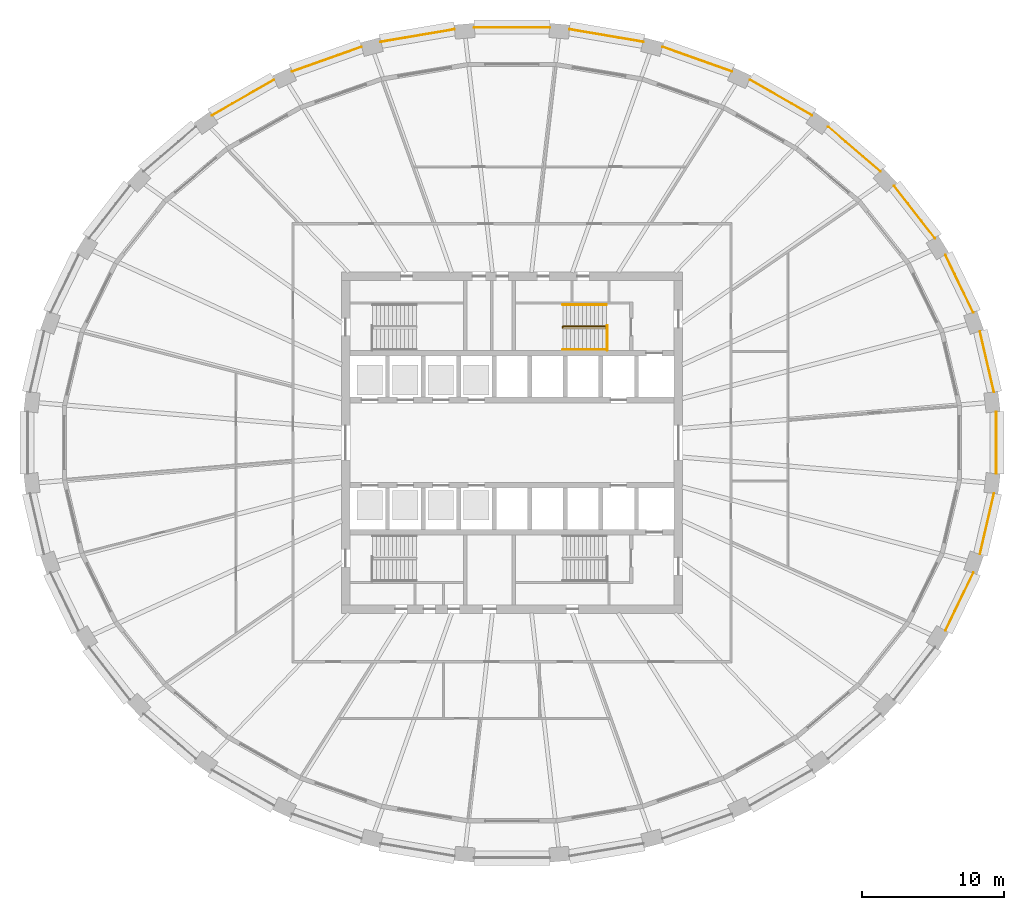
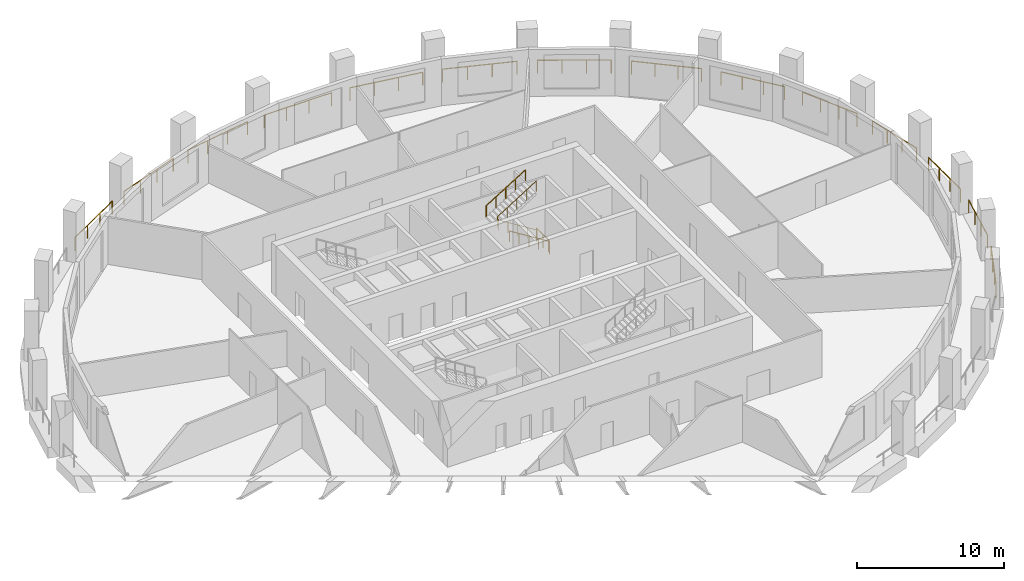
# One storey, part 10 of 11: 18 railings.
"""IFC4 building model written with IfcOpenShell, lengths in metres."""

from ifc_helpers import new_model, si_unit, direction, frame, origin, origin_2d, place, context, subcontext, project, spatial, circle, extrude, material, type_object, element, save


model = new_model("IFC4")

# Units and contexts
model_context = context("Model", 3, precision=1e-05, world=origin(), true_north=direction((0.0, 1.0)))
body_context = subcontext(model_context, "Body", "Model", "MODEL_VIEW")
ifc_project = project(units=[si_unit("LENGTHUNIT", "METRE"), si_unit("AREAUNIT", "SQUARE_METRE"), si_unit("VOLUMEUNIT", "CUBIC_METRE"), si_unit("PLANEANGLEUNIT", "RADIAN"), si_unit("MASSUNIT", "GRAM", prefix="KILO")], contexts=[model_context])

# Site, building, storey
site_placement = place(None, origin())
site = spatial("IfcSite", under=ifc_project, at=site_placement, CompositionType="ELEMENT")
building_placement = place(site_placement, origin())
building = spatial("IfcBuilding", under=site, at=building_placement, Name="Halqa Exchange Tower", CompositionType="ELEMENT")
storey_placement = place(building_placement, frame((0.0, 0.0, 150.699951171875)))
storey = spatial("IfcBuildingStorey", under=building, at=storey_placement, Name="L34", CompositionType="ELEMENT", Elevation=150.699951171875)

# Railings
ifc_material = material(Name="Stainless steel", Category="steel")
railing_type_1 = type_object("IfcRailingType", Name="Guard 1100 stainless steel", PredefinedType="GUARDRAIL", material=ifc_material)
railing_1_placement = place(storey_placement, frame((33.8955078125, 3.556640625, 0.0)))
element("IfcRailing", 1, at=railing_1_placement, inside=storey, type_object=railing_type_1, Name="Loggia guard 1", PredefinedType="GUARDRAIL", context=body_context, shape_type="SweptSolid", body=[
    extrude(circle(Radius=0.02392578125, at=origin_2d()), frame((0.0, 0.0, 1.076171875), z_axis=(-0.226049596657, 0.974115793862, 0.0), x_axis=(-0.974115793862, -0.226049596657, 0.0)), (0.0, 0.0, 1.0), 4.38916015625),
    extrude(circle(Radius=0.02099609375, at=origin_2d()), origin(), (0.0, 0.0, 1.0), 1.052001953125),
    extrude(circle(Radius=0.02099609375, at=origin_2d()), frame((-0.330810546875, 1.42529296875, 0.0)), (0.0, 0.0, 1.0), 1.052001953125),
    extrude(circle(Radius=0.02099609375, at=origin_2d()), frame((-0.661376953125, 2.850341796875, 0.0)), (0.0, 0.0, 1.0), 1.052001953125),
    extrude(circle(Radius=0.02099609375, at=origin_2d()), frame((-0.9921875, 4.275634765625, 0.0)), (0.0, 0.0, 1.0), 1.052001953125),
])
railing_2_placement = place(storey_placement, frame((32.4404296875, 9.144287109375, 0.0)))
element("IfcRailing", 2, at=railing_2_placement, inside=storey, type_object=railing_type_1, Name="Loggia guard 2", PredefinedType="GUARDRAIL", context=body_context, shape_type="SweptSolid", body=[
    extrude(circle(Radius=0.02392578125, at=origin_2d()), frame((0.0, 0.0, 1.076171875), z_axis=(-0.435128344221, 0.900368437949, 0.0), x_axis=(-0.900368437949, -0.435128344221, 0.0)), (0.0, 0.0, 1.0), 4.499755859375),
    extrude(circle(Radius=0.02099609375, at=origin_2d()), origin(), (0.0, 0.0, 1.0), 1.052001953125),
    extrude(circle(Radius=0.02099609375, at=origin_2d()), frame((-0.652587890625, 1.3505859375, 0.0)), (0.0, 0.0, 1.0), 1.052001953125),
    extrude(circle(Radius=0.02099609375, at=origin_2d()), frame((-1.305419921875, 2.700927734375, 0.0)), (0.0, 0.0, 1.0), 1.052001953125),
    extrude(circle(Radius=0.02099609375, at=origin_2d()), frame((-1.9580078125, 4.051513671875, 0.0)), (0.0, 0.0, 1.0), 1.052001953125),
])
railing_3_placement = place(storey_placement, frame((29.74755859375, 14.378173828125, 0.0)))
element("IfcRailing", 3, at=railing_3_placement, inside=storey, type_object=railing_type_1, Name="Loggia guard 3", PredefinedType="GUARDRAIL", context=body_context, shape_type="SweptSolid", body=[
    extrude(circle(Radius=0.02392578125, at=origin_2d()), frame((0.0, 0.0, 1.076171875), z_axis=(-0.614803187678, 0.788680569319, 0.0), x_axis=(-0.788680569319, -0.614803187678, 0.0)), (0.0, 0.0, 1.0), 4.66162109375),
    extrude(circle(Radius=0.02099609375, at=origin_2d()), origin(), (0.0, 0.0, 1.0), 1.052001953125),
    extrude(circle(Radius=0.02099609375, at=origin_2d()), frame((-0.955322265625, 1.2255859375, 0.0)), (0.0, 0.0, 1.0), 1.052001953125),
    extrude(circle(Radius=0.02099609375, at=origin_2d()), frame((-1.91064453125, 2.450927734375, 0.0)), (0.0, 0.0, 1.0), 1.052001953125),
    extrude(circle(Radius=0.02099609375, at=origin_2d()), frame((-2.865966796875, 3.676513671875, 0.0)), (0.0, 0.0, 1.0), 1.052001953125),
])
railing_4_placement = place(storey_placement, frame((25.919677734375, 19.0625, 0.0)))
element("IfcRailing", 4, at=railing_4_placement, inside=storey, type_object=railing_type_1, Name="Loggia guard 4", PredefinedType="GUARDRAIL", context=body_context, shape_type="SweptSolid", body=[
    extrude(circle(Radius=0.02392578125, at=origin_2d()), frame((0.0, 0.0, 1.076171875), z_axis=(-0.759270824179, 0.650774780973, 0.0), x_axis=(-0.650774780973, -0.759270824179, 0.0)), (0.0, 0.0, 1.0), 4.846923828125),
    extrude(circle(Radius=0.02099609375, at=origin_2d()), origin(), (0.0, 0.0, 1.0), 1.052001953125),
    extrude(circle(Radius=0.02099609375, at=origin_2d()), frame((-1.226806640625, 1.051513671875, 0.0)), (0.0, 0.0, 1.0), 1.052001953125),
    extrude(circle(Radius=0.02099609375, at=origin_2d()), frame((-2.453369140625, 2.102783203125, 0.0)), (0.0, 0.0, 1.0), 1.052001953125),
    extrude(circle(Radius=0.02099609375, at=origin_2d()), frame((-3.68017578125, 3.154296875, 0.0)), (0.0, 0.0, 1.0), 1.052001953125),
])
railing_5_placement = place(storey_placement, frame((21.1005859375, 23.0205078125, 0.0)))
element("IfcRailing", 5, at=railing_5_placement, inside=storey, type_object=railing_type_1, Name="Loggia guard 5", PredefinedType="GUARDRAIL", context=body_context, shape_type="SweptSolid", body=[
    extrude(circle(Radius=0.02392578125, at=origin_2d()), frame((0.0, 0.0, 1.076171875), z_axis=(-0.867791535893, 0.496928415601, 0.0), x_axis=(-0.496928415601, -0.867791535893, 0.0)), (0.0, 0.0, 1.0), 5.027587890625),
    extrude(circle(Radius=0.02099609375, at=origin_2d()), origin(), (0.0, 0.0, 1.0), 1.052001953125),
    extrude(circle(Radius=0.02099609375, at=origin_2d()), frame((-1.454345703125, 0.832763671875, 0.0)), (0.0, 0.0, 1.0), 1.052001953125),
    extrude(circle(Radius=0.02099609375, at=origin_2d()), frame((-2.908447265625, 1.66552734375, 0.0)), (0.0, 0.0, 1.0), 1.052001953125),
    extrude(circle(Radius=0.02099609375, at=origin_2d()), frame((-4.36279296875, 2.498291015625, 0.0)), (0.0, 0.0, 1.0), 1.052001953125),
])
railing_6_placement = place(storey_placement, frame((15.470703125, 26.10107421875, 0.0)))
element("IfcRailing", 6, at=railing_6_placement, inside=storey, type_object=railing_type_1, Name="Loggia guard 6", PredefinedType="GUARDRAIL", context=body_context, shape_type="SweptSolid", body=[
    extrude(circle(Radius=0.02392578125, at=origin_2d()), frame((0.0, 0.0, 1.076171875), z_axis=(-0.942363475119, 0.33459091554, 0.0), x_axis=(-0.33459091554, -0.942363475119, 0.0)), (0.0, 0.0, 1.0), 5.17626953125),
    extrude(circle(Radius=0.02099609375, at=origin_2d()), origin(), (0.0, 0.0, 1.0), 1.052001953125),
    extrude(circle(Radius=0.02099609375, at=origin_2d()), frame((-1.6259765625, 0.577392578125, 0.0)), (0.0, 0.0, 1.0), 1.052001953125),
    extrude(circle(Radius=0.02099609375, at=origin_2d()), frame((-3.251953125, 1.154541015625, 0.0)), (0.0, 0.0, 1.0), 1.052001953125),
    extrude(circle(Radius=0.02099609375, at=origin_2d()), frame((-4.8779296875, 1.73193359375, 0.0)), (0.0, 0.0, 1.0), 1.052001953125),
])
railing_7_placement = place(storey_placement, frame((9.2431640625, 28.184814453125, 0.0)))
element("IfcRailing", 7, at=railing_7_placement, inside=storey, type_object=railing_type_1, Name="Loggia guard 7", PredefinedType="GUARDRAIL", context=body_context, shape_type="SweptSolid", body=[
    extrude(circle(Radius=0.02392578125, at=origin_2d()), frame((0.0, 0.0, 1.076171875), z_axis=(-0.985774047585, 0.168075956366, 0.0), x_axis=(-0.168075956366, -0.985774047585, 0.0)), (0.0, 0.0, 1.0), 5.274169921875),
    extrude(circle(Radius=0.02099609375, at=origin_2d()), origin(), (0.0, 0.0, 1.0), 1.052001953125),
    extrude(circle(Radius=0.02099609375, at=origin_2d()), frame((-1.733154296875, 0.29541015625, 0.0)), (0.0, 0.0, 1.0), 1.052001953125),
    extrude(circle(Radius=0.02099609375, at=origin_2d()), frame((-3.466064453125, 0.591064453125, 0.0)), (0.0, 0.0, 1.0), 1.052001953125),
    extrude(circle(Radius=0.02099609375, at=origin_2d()), frame((-5.19921875, 0.886474609375, 0.0)), (0.0, 0.0, 1.0), 1.052001953125),
])
railing_8_placement = place(storey_placement, frame((2.654052734375, 29.18896484375, 0.0)))
element("IfcRailing", 8, at=railing_8_placement, inside=storey, type_object=railing_type_1, Name="Loggia guard 8", PredefinedType="GUARDRAIL", context=body_context, shape_type="SweptSolid", body=[
    extrude(circle(Radius=0.02392578125, at=origin_2d()), frame((0.0, 0.0, 1.076171875), z_axis=(-1.0, 0.0, 0.0), x_axis=(0.0, -1.0, 0.0)), (0.0, 0.0, 1.0), 5.30810546875),
    extrude(circle(Radius=0.02099609375, at=origin_2d()), origin(), (0.0, 0.0, 1.0), 1.052001953125),
    extrude(circle(Radius=0.02099609375, at=origin_2d()), frame((-1.769287109375, 0.0, 0.0)), (0.0, 0.0, 1.0), 1.052001953125),
    extrude(circle(Radius=0.02099609375, at=origin_2d()), frame((-3.538818359375, 0.0, 0.0)), (0.0, 0.0, 1.0), 1.052001953125),
    extrude(circle(Radius=0.02099609375, at=origin_2d()), frame((-5.30810546875, 0.0, 0.0)), (0.0, 0.0, 1.0), 1.052001953125),
])
railing_9_placement = place(storey_placement, frame((-4.0439453125, 29.0712890625, 0.0)))
element("IfcRailing", 9, at=railing_9_placement, inside=storey, type_object=railing_type_1, Name="Loggia guard 9", PredefinedType="GUARDRAIL", context=body_context, shape_type="SweptSolid", body=[
    extrude(circle(Radius=0.02392578125, at=origin_2d()), frame((0.0, 0.0, 1.076171875), z_axis=(-0.985774047585, -0.168075956366, 0.0), x_axis=(0.168075956366, -0.985774047585, 0.0)), (0.0, 0.0, 1.0), 5.274169921875),
    extrude(circle(Radius=0.02099609375, at=origin_2d()), origin(), (0.0, 0.0, 1.0), 1.052001953125),
    extrude(circle(Radius=0.02099609375, at=origin_2d()), frame((-1.733154296875, -0.29541015625, 0.0)), (0.0, 0.0, 1.0), 1.052001953125),
    extrude(circle(Radius=0.02099609375, at=origin_2d()), frame((-3.466064453125, -0.591064453125, 0.0)), (0.0, 0.0, 1.0), 1.052001953125),
    extrude(circle(Radius=0.02099609375, at=origin_2d()), frame((-5.19921875, -0.886474609375, 0.0)), (0.0, 0.0, 1.0), 1.052001953125),
])
railing_10_placement = place(storey_placement, frame((-10.5927734375, 27.8330078125, 0.0)))
element("IfcRailing", 10, at=railing_10_placement, inside=storey, type_object=railing_type_1, Name="Loggia guard 10", PredefinedType="GUARDRAIL", context=body_context, shape_type="SweptSolid", body=[
    extrude(circle(Radius=0.02392578125, at=origin_2d()), frame((0.0, 0.0, 1.076171875), z_axis=(-0.942363475119, -0.33459091554, 0.0), x_axis=(0.33459091554, -0.942363475119, 0.0)), (0.0, 0.0, 1.0), 5.17626953125),
    extrude(circle(Radius=0.02099609375, at=origin_2d()), origin(), (0.0, 0.0, 1.0), 1.052001953125),
    extrude(circle(Radius=0.02099609375, at=origin_2d()), frame((-1.6259765625, -0.577392578125, 0.0)), (0.0, 0.0, 1.0), 1.052001953125),
    extrude(circle(Radius=0.02099609375, at=origin_2d()), frame((-3.251953125, -1.154541015625, 0.0)), (0.0, 0.0, 1.0), 1.052001953125),
    extrude(circle(Radius=0.02099609375, at=origin_2d()), frame((-4.8779296875, -1.73193359375, 0.0)), (0.0, 0.0, 1.0), 1.052001953125),
])
railing_11_placement = place(storey_placement, frame((-16.73779296875, 25.518798828125, 0.0)))
element("IfcRailing", 11, at=railing_11_placement, inside=storey, type_object=railing_type_1, Name="Loggia guard 11", PredefinedType="GUARDRAIL", context=body_context, shape_type="SweptSolid", body=[
    extrude(circle(Radius=0.02392578125, at=origin_2d()), frame((0.0, 0.0, 1.076171875), z_axis=(-0.867791535893, -0.496928415601, 0.0), x_axis=(0.496928415601, -0.867791535893, 0.0)), (0.0, 0.0, 1.0), 5.027587890625),
    extrude(circle(Radius=0.02099609375, at=origin_2d()), origin(), (0.0, 0.0, 1.0), 1.052001953125),
    extrude(circle(Radius=0.02099609375, at=origin_2d()), frame((-1.454345703125, -0.832763671875, 0.0)), (0.0, 0.0, 1.0), 1.052001953125),
    extrude(circle(Radius=0.02099609375, at=origin_2d()), frame((-2.908447265625, -1.66552734375, 0.0)), (0.0, 0.0, 1.0), 1.052001953125),
    extrude(circle(Radius=0.02099609375, at=origin_2d()), frame((-4.36279296875, -2.498291015625, 0.0)), (0.0, 0.0, 1.0), 1.052001953125),
])
railing_12_placement = place(storey_placement, frame((30.482421875, -13.19580078125, 0.0)))
element("IfcRailing", 12, at=railing_12_placement, inside=storey, type_object=railing_type_1, Name="Loggia guard 30", PredefinedType="GUARDRAIL", context=body_context, shape_type="SweptSolid", body=[
    extrude(circle(Radius=0.02392578125, at=origin_2d()), frame((0.0, 0.0, 1.076171875), z_axis=(0.435128344221, 0.900368437949, 0.0), x_axis=(-0.900368437949, 0.435128344221, 0.0)), (0.0, 0.0, 1.0), 4.499755859375),
    extrude(circle(Radius=0.02099609375, at=origin_2d()), origin(), (0.0, 0.0, 1.0), 1.052001953125),
    extrude(circle(Radius=0.02099609375, at=origin_2d()), frame((0.652587890625, 1.3505859375, 0.0)), (0.0, 0.0, 1.0), 1.052001953125),
    extrude(circle(Radius=0.02099609375, at=origin_2d()), frame((1.305419921875, 2.700927734375, 0.0)), (0.0, 0.0, 1.0), 1.052001953125),
    extrude(circle(Radius=0.02099609375, at=origin_2d()), frame((1.9580078125, 4.051513671875, 0.0)), (0.0, 0.0, 1.0), 1.052001953125),
])
railing_13_placement = place(storey_placement, frame((32.9033203125, -7.832275390625, 0.0)))
element("IfcRailing", 13, at=railing_13_placement, inside=storey, type_object=railing_type_1, Name="Loggia guard 31", PredefinedType="GUARDRAIL", context=body_context, shape_type="SweptSolid", body=[
    extrude(circle(Radius=0.02392578125, at=origin_2d()), frame((0.0, 0.0, 1.076171875), z_axis=(0.226049596657, 0.974115793862, 0.0), x_axis=(-0.974115793862, 0.226049596657, 0.0)), (0.0, 0.0, 1.0), 4.38916015625),
    extrude(circle(Radius=0.02099609375, at=origin_2d()), origin(), (0.0, 0.0, 1.0), 1.052001953125),
    extrude(circle(Radius=0.02099609375, at=origin_2d()), frame((0.330810546875, 1.42529296875, 0.0)), (0.0, 0.0, 1.0), 1.052001953125),
    extrude(circle(Radius=0.02099609375, at=origin_2d()), frame((0.661376953125, 2.850341796875, 0.0)), (0.0, 0.0, 1.0), 1.052001953125),
    extrude(circle(Radius=0.02099609375, at=origin_2d()), frame((0.9921875, 4.275634765625, 0.0)), (0.0, 0.0, 1.0), 1.052001953125),
])
railing_14_placement = place(storey_placement, frame((34.0537109375, -2.1748046875, 0.0)))
element("IfcRailing", 14, at=railing_14_placement, inside=storey, type_object=railing_type_1, Name="Loggia guard 32", PredefinedType="GUARDRAIL", context=body_context, shape_type="SweptSolid", body=[
    extrude(circle(Radius=0.02392578125, at=origin_2d()), frame((0.0, 0.0, 1.076171875), z_axis=(0.0, 1.0, 0.0), x_axis=(-1.0, 0.0, 0.0)), (0.0, 0.0, 1.0), 4.349609375),
    extrude(circle(Radius=0.02099609375, at=origin_2d()), origin(), (0.0, 0.0, 1.0), 1.052001953125),
    extrude(circle(Radius=0.02099609375, at=origin_2d()), frame((0.0, 1.449951171875, 0.0)), (0.0, 0.0, 1.0), 1.052001953125),
    extrude(circle(Radius=0.02099609375, at=origin_2d()), frame((0.0, 2.899658203125, 0.0)), (0.0, 0.0, 1.0), 1.052001953125),
    extrude(circle(Radius=0.02099609375, at=origin_2d()), frame((0.0, 4.349609375, 0.0)), (0.0, 0.0, 1.0), 1.052001953125),
])
railing_type_2 = type_object("IfcRailingType", Name="Stair handrail 900", PredefinedType="HANDRAIL", material=ifc_material)
railing_15_placement = place(storey_placement, frame((6.64990234375, 8.06005859375, 0.175048828125)))
element("IfcRailing", 15, at=railing_15_placement, inside=storey, type_object=railing_type_2, Name="Handrail ST2.1", PredefinedType="HANDRAIL", context=body_context, shape_type="SweptSolid", body=[
    extrude(circle(Radius=0.02392578125, at=origin_2d()), frame((0.0, 0.0, 0.8759765625), z_axis=(-0.847979421464, 0.0, 0.530029150871), x_axis=(0.0, -1.0, 0.0)), (0.0, 0.0, 1.0), 3.632080078125),
    extrude(circle(Radius=0.02392578125, at=origin_2d()), frame((-3.079833984375, 0.0, 2.80078125), z_axis=(0.0, 0.595870227118, 0.803080738428), x_axis=(-1.0, 0.0, 0.0)), (0.0, 0.0, 1.0), 0.218017578125),
    extrude(circle(Radius=0.02392578125, at=origin_2d()), frame((-3.079833984375, 0.1298828125, 2.97607421875), z_axis=(0.848009633417, 0.0, 0.529980812513), x_axis=(0.0, 1.0, 0.0)), (0.0, 0.0, 1.0), 3.6318359375),
    extrude(circle(Radius=0.02099609375, at=origin_2d()), origin(), (0.0, 0.0, 1.0), 0.851806640625),
    extrude(circle(Radius=0.02099609375, at=origin_2d()), frame((-0.77001953125, 0.0, 0.481201171875)), (0.0, 0.0, 1.0), 0.851806640625),
    extrude(circle(Radius=0.02099609375, at=origin_2d()), frame((-1.5400390625, 0.0, 0.96240234375)), (0.0, 0.0, 1.0), 0.851806640625),
    extrude(circle(Radius=0.02099609375, at=origin_2d()), frame((-2.309814453125, 0.0, 1.44384765625)), (0.0, 0.0, 1.0), 0.851806640625),
    extrude(circle(Radius=0.02099609375, at=origin_2d()), frame((-3.079833984375, 0.0, 1.925048828125)), (0.0, 0.0, 1.0), 0.851806640625),
    extrude(circle(Radius=0.02099609375, at=origin_2d()), frame((-3.079833984375, 0.1298828125, 2.10009765625)), (0.0, 0.0, 1.0), 0.851806640625),
    extrude(circle(Radius=0.02099609375, at=origin_2d()), frame((-2.309814453125, 0.1298828125, 2.581298828125)), (0.0, 0.0, 1.0), 0.851806640625),
    extrude(circle(Radius=0.02099609375, at=origin_2d()), frame((-1.5400390625, 0.1298828125, 3.0625)), (0.0, 0.0, 1.0), 0.851806640625),
    extrude(circle(Radius=0.02099609375, at=origin_2d()), frame((-0.77001953125, 0.1298828125, 3.543701171875)), (0.0, 0.0, 1.0), 0.851806640625),
    extrude(circle(Radius=0.02099609375, at=origin_2d()), frame((0.0, 0.1298828125, 4.02490234375)), (0.0, 0.0, 1.0), 0.851806640625),
])
railing_16_placement = place(storey_placement, frame((6.64990234375, 6.550048828125, 0.175048828125)))
element("IfcRailing", 16, at=railing_16_placement, inside=storey, type_object=railing_type_2, Name="Handrail ST2.2", PredefinedType="HANDRAIL", context=body_context, shape_type="SweptSolid", body=[
    extrude(circle(Radius=0.02392578125, at=origin_2d()), frame((0.0, 0.0, 0.8759765625), z_axis=(-0.847979421464, 0.0, 0.530029150871), x_axis=(0.0, -1.0, 0.0)), (0.0, 0.0, 1.0), 3.632080078125),
    extrude(circle(Radius=0.02099609375, at=origin_2d()), origin(), (0.0, 0.0, 1.0), 0.851806640625),
    extrude(circle(Radius=0.02099609375, at=origin_2d()), frame((-0.77001953125, 0.0, 0.481201171875)), (0.0, 0.0, 1.0), 0.851806640625),
    extrude(circle(Radius=0.02099609375, at=origin_2d()), frame((-1.5400390625, 0.0, 0.96240234375)), (0.0, 0.0, 1.0), 0.851806640625),
    extrude(circle(Radius=0.02099609375, at=origin_2d()), frame((-2.309814453125, 0.0, 1.44384765625)), (0.0, 0.0, 1.0), 0.851806640625),
    extrude(circle(Radius=0.02099609375, at=origin_2d()), frame((-3.079833984375, 0.0, 1.925048828125)), (0.0, 0.0, 1.0), 0.851806640625),
])
railing_17_placement = place(storey_placement, frame((3.570068359375, 9.699951171875, 2.275146484375)))
element("IfcRailing", 17, at=railing_17_placement, inside=storey, type_object=railing_type_2, Name="Handrail ST2.3", PredefinedType="HANDRAIL", context=body_context, shape_type="SweptSolid", body=[
    extrude(circle(Radius=0.02392578125, at=origin_2d()), frame((0.0, 0.0, 0.8759765625), z_axis=(0.848009633417, 0.0, 0.529980812513), x_axis=(0.0, 1.0, 0.0)), (0.0, 0.0, 1.0), 3.6318359375),
    extrude(circle(Radius=0.02099609375, at=origin_2d()), origin(), (0.0, 0.0, 1.0), 0.851806640625),
    extrude(circle(Radius=0.02099609375, at=origin_2d()), frame((0.77001953125, 0.0, 0.481201171875)), (0.0, 0.0, 1.0), 0.851806640625),
    extrude(circle(Radius=0.02099609375, at=origin_2d()), frame((1.5400390625, 0.0, 0.96240234375)), (0.0, 0.0, 1.0), 0.851806640625),
    extrude(circle(Radius=0.02099609375, at=origin_2d()), frame((2.309814453125, 0.0, 1.443603515625)), (0.0, 0.0, 1.0), 0.851806640625),
    extrude(circle(Radius=0.02099609375, at=origin_2d()), frame((3.079833984375, 0.0, 1.9248046875)), (0.0, 0.0, 1.0), 0.851806640625),
])
railing_type_3 = type_object("IfcRailingType", Name="Stair well guard 1100", PredefinedType="GUARDRAIL", material=ifc_material)
railing_18_placement = place(storey_placement, frame((6.699951171875, 6.5, 0.0)))
element("IfcRailing", 18, at=railing_18_placement, inside=storey, type_object=railing_type_3, Name="Guard ST2 well", PredefinedType="GUARDRAIL", context=body_context, shape_type="SweptSolid", body=[
    extrude(circle(Radius=0.02392578125, at=origin_2d()), frame((0.0, 0.0, 1.076171875), z_axis=(0.0, 1.0, 0.0), x_axis=(-1.0, 0.0, 0.0)), (0.0, 0.0, 1.0), 1.75),
    extrude(circle(Radius=0.02099609375, at=origin_2d()), origin(), (0.0, 0.0, 1.0), 1.052001953125),
    extrude(circle(Radius=0.02099609375, at=origin_2d()), frame((0.0, 0.875, 0.0)), (0.0, 0.0, 1.0), 1.052001953125),
    extrude(circle(Radius=0.02099609375, at=origin_2d()), frame((0.0, 1.75, 0.0)), (0.0, 0.0, 1.0), 1.052001953125),
])

save(model, "model.ifc")
